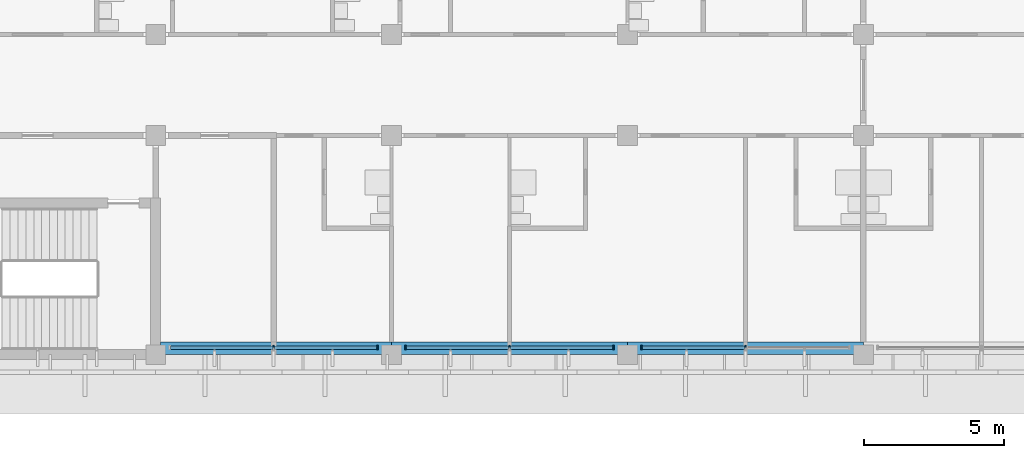
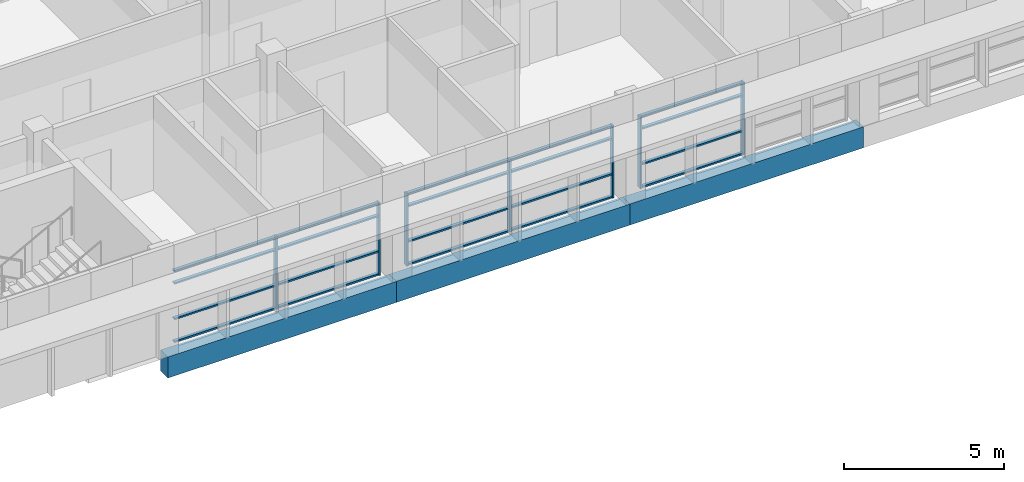
# One storey, part 6 of 71: 27 members, 3 beams, 3 elements without a shape of their own.
"""IFC4 building model written with IfcOpenShell, lengths in metres."""

from ifc_helpers import new_model, si_unit, direction, frame, origin, origin_2d, place, context, subcontext, project, spatial, rectangle, extrude, material, material_profile, profile_set, type_object, element, aggregate, save


model = new_model("IFC4")

# Units and contexts
model_context = context("Model", 3, precision=1e-05, world=origin(), true_north=direction((0.0, 1.0)))
body_context = subcontext(model_context, "Body", "Model", "MODEL_VIEW")
ifc_project = project(units=[si_unit("LENGTHUNIT", "METRE"), si_unit("AREAUNIT", "SQUARE_METRE"), si_unit("VOLUMEUNIT", "CUBIC_METRE"), si_unit("PLANEANGLEUNIT", "RADIAN"), si_unit("MASSUNIT", "GRAM", prefix="KILO")], contexts=[model_context])

# Site, building, storey
site_placement = place(None, origin())
site = spatial("IfcSite", under=ifc_project, at=site_placement, CompositionType="ELEMENT")
building_placement = place(site_placement, origin())
building = spatial("IfcBuilding", under=site, at=building_placement, Name="Bougainvillea Quay General Hospital", CompositionType="ELEMENT")
storey_placement = place(building_placement, frame((0.0, 0.0, 24.89990234375)))
storey = spatial("IfcBuildingStorey", under=building, at=storey_placement, Name="L05", CompositionType="ELEMENT", Elevation=24.89990234375)

# Curtain wall, members
ifc_material_1 = material(Name="Aluminium curtain wall system, powder-coated glazed", Category="aluminium")
curtain_wall_type = type_object("IfcCurtainWallType", Name="Unitised curtain wall CW-3730", PredefinedType="NOTDEFINED", material=ifc_material_1)
curtain_wall_1_placement = place(storey_placement, origin())
curtain_wall_1 = element("IfcCurtainWall", 1, at=curtain_wall_1_placement, inside=storey, type_object=curtain_wall_type, Name="CW-4200 03", PredefinedType="NOTDEFINED")
ifc_material_2 = material(Name="Aluminium mullion, powder-coated charcoal", Category="aluminium")
ifc_material_profile_1 = material_profile(ifc_material_2, rectangle(XDim=0.159912109375, YDim=0.06005859375, at=origin_2d()))
ifc_profile_set_1 = profile_set([ifc_material_profile_1], Name="Aluminium mullion, powder-coated charcoal")
member_type_1 = type_object("IfcMemberType", Name="Curtain wall mullion 160x60", PredefinedType="MULLION", material=ifc_profile_set_1)
member_1_placement = place(storey_placement, frame((88.199951171875, 117.85009765625, 0.0), z_axis=(0.0, 0.0, 1.0), x_axis=(0.0, 1.0, 0.0)))
member_1 = element("IfcMember", 2, at=member_1_placement, type_object=member_type_1, Name="CW-4200 mullion 2", PredefinedType="MULLION", context=body_context, shape_type="SweptSolid", body=[
    extrude(rectangle(XDim=0.159912109375, YDim=0.06005859375, at=origin_2d()), origin(), (0.0, 0.0, 1.0), 2.75),
])
member_2_placement = place(storey_placement, frame((91.89990234375, 117.85009765625, 0.0), z_axis=(0.0, 0.0, 1.0), x_axis=(0.0, 1.0, 0.0)))
member_2 = element("IfcMember", 3, at=member_2_placement, type_object=member_type_1, Name="CW-4200 mullion 3", PredefinedType="MULLION", context=body_context, shape_type="SweptSolid", body=[
    extrude(rectangle(XDim=0.159912109375, YDim=0.06005859375, at=origin_2d()), origin(), (0.0, 0.0, 1.0), 2.75),
])

curtain_wall_2_placement = place(storey_placement, origin())
curtain_wall_2 = element("IfcCurtainWall", 4, at=curtain_wall_2_placement, inside=storey, type_object=curtain_wall_type, Name="CW-4200 04", PredefinedType="NOTDEFINED")
member_3_placement = place(storey_placement, frame((92.89990234375, 117.85009765625, 0.0), z_axis=(0.0, 0.0, 1.0), x_axis=(0.0, 1.0, 0.0)))
member_3 = element("IfcMember", 5, at=member_3_placement, type_object=member_type_1, Name="CW-4200 mullion 1", PredefinedType="MULLION", context=body_context, shape_type="SweptSolid", body=[
    extrude(rectangle(XDim=0.159912109375, YDim=0.06005859375, at=origin_2d()), origin(), (0.0, 0.0, 1.0), 2.75),
])
member_4_placement = place(storey_placement, frame((96.60009765625, 117.85009765625, 0.0), z_axis=(0.0, 0.0, 1.0), x_axis=(0.0, 1.0, 0.0)))
member_4 = element("IfcMember", 6, at=member_4_placement, type_object=member_type_1, Name="CW-4200 mullion 2", PredefinedType="MULLION", context=body_context, shape_type="SweptSolid", body=[
    extrude(rectangle(XDim=0.159912109375, YDim=0.06005859375, at=origin_2d()), origin(), (0.0, 0.0, 1.0), 2.75),
])
member_5_placement = place(storey_placement, frame((100.300048828125, 117.85009765625, 0.0), z_axis=(0.0, 0.0, 1.0), x_axis=(0.0, 1.0, 0.0)))
member_5 = element("IfcMember", 7, at=member_5_placement, type_object=member_type_1, Name="CW-4200 mullion 3", PredefinedType="MULLION", context=body_context, shape_type="SweptSolid", body=[
    extrude(rectangle(XDim=0.159912109375, YDim=0.06005859375, at=origin_2d()), origin(), (0.0, 0.0, 1.0), 2.75),
])

curtain_wall_3_placement = place(storey_placement, origin())
curtain_wall_3 = element("IfcCurtainWall", 8, at=curtain_wall_3_placement, inside=storey, type_object=curtain_wall_type, Name="CW-4200 05", PredefinedType="NOTDEFINED")
member_6_placement = place(storey_placement, frame((101.300048828125, 117.85009765625, 0.0), z_axis=(0.0, 0.0, 1.0), x_axis=(0.0, 1.0, 0.0)))
member_6 = element("IfcMember", 9, at=member_6_placement, type_object=member_type_1, Name="CW-4200 mullion 1", PredefinedType="MULLION", context=body_context, shape_type="SweptSolid", body=[
    extrude(rectangle(XDim=0.159912109375, YDim=0.06005859375, at=origin_2d()), origin(), (0.0, 0.0, 1.0), 2.75),
])
member_7_placement = place(storey_placement, frame((105.0, 117.85009765625, 0.0), z_axis=(0.0, 0.0, 1.0), x_axis=(0.0, 1.0, 0.0)))
member_7 = element("IfcMember", 10, at=member_7_placement, type_object=member_type_1, Name="CW-4200 mullion 2", PredefinedType="MULLION", context=body_context, shape_type="SweptSolid", body=[
    extrude(rectangle(XDim=0.159912109375, YDim=0.06005859375, at=origin_2d()), origin(), (0.0, 0.0, 1.0), 2.75),
])

# Member
ifc_material_3 = material(Name="Aluminium transom, powder-coated charcoal", Category="aluminium")
ifc_material_profile_2 = material_profile(ifc_material_3, rectangle(XDim=0.1201171875, YDim=0.06005859375, at=origin_2d()))
ifc_profile_set_2 = profile_set([ifc_material_profile_2], Name="Aluminium transom, powder-coated charcoal")
member_type_2 = type_object("IfcMemberType", Name="Curtain wall transom 120x60", PredefinedType="USERDEFINED", material=ifc_profile_set_2)
member_8_placement = place(storey_placement, frame((84.530029296875, 117.85009765625, 0.030029296875), z_axis=(1.0, 0.0, 0.0), x_axis=(0.0, 1.0, 0.0)))
member_8 = element("IfcMember", 11, at=member_8_placement, type_object=member_type_2, Name="CW-4200 transom 1.1", ObjectType="TRANSOM", PredefinedType="USERDEFINED", context=body_context, shape_type="SweptSolid", body=[
    extrude(rectangle(XDim=0.1201171875, YDim=0.06005859375, at=origin_2d()), origin(), (0.0, 0.0, 1.0), 3.639892578125),
])

member_9_placement = place(storey_placement, frame((84.530029296875, 117.85009765625, 0.900146484375), z_axis=(1.0, 0.0, 0.0), x_axis=(0.0, 1.0, 0.0)))
member_9 = element("IfcMember", 12, at=member_9_placement, type_object=member_type_2, Name="CW-4200 transom 1.2", ObjectType="TRANSOM", PredefinedType="USERDEFINED", context=body_context, shape_type="SweptSolid", body=[
    extrude(rectangle(XDim=0.1201171875, YDim=0.06005859375, at=origin_2d()), origin(), (0.0, 0.0, 1.0), 3.639892578125),
])

member_10_placement = place(storey_placement, frame((84.530029296875, 117.85009765625, 2.25), z_axis=(1.0, 0.0, 0.0), x_axis=(0.0, 1.0, 0.0)))
member_10 = element("IfcMember", 13, at=member_10_placement, type_object=member_type_2, Name="CW-4200 transom 1.3", ObjectType="TRANSOM", PredefinedType="USERDEFINED", context=body_context, shape_type="SweptSolid", body=[
    extrude(rectangle(XDim=0.1201171875, YDim=0.06005859375, at=origin_2d()), origin(), (0.0, 0.0, 1.0), 3.639892578125),
])

member_11_placement = place(storey_placement, frame((84.530029296875, 117.85009765625, 2.72021484375), z_axis=(1.0, 0.0, 0.0), x_axis=(0.0, 1.0, 0.0)))
member_11 = element("IfcMember", 14, at=member_11_placement, type_object=member_type_2, Name="CW-4200 transom 1.4", ObjectType="TRANSOM", PredefinedType="USERDEFINED", context=body_context, shape_type="SweptSolid", body=[
    extrude(rectangle(XDim=0.1201171875, YDim=0.06005859375, at=origin_2d()), origin(), (0.0, 0.0, 1.0), 3.639892578125),
])

member_12_placement = place(storey_placement, frame((88.22998046875, 117.85009765625, 0.030029296875), z_axis=(1.0, 0.0, 0.0), x_axis=(0.0, 1.0, 0.0)))
member_12 = element("IfcMember", 15, at=member_12_placement, type_object=member_type_2, Name="CW-4200 transom 2.1", ObjectType="TRANSOM", PredefinedType="USERDEFINED", context=body_context, shape_type="SweptSolid", body=[
    extrude(rectangle(XDim=0.1201171875, YDim=0.06005859375, at=origin_2d()), origin(), (0.0, 0.0, 1.0), 3.64013671875),
])

member_13_placement = place(storey_placement, frame((88.22998046875, 117.85009765625, 0.900146484375), z_axis=(1.0, 0.0, 0.0), x_axis=(0.0, 1.0, 0.0)))
member_13 = element("IfcMember", 16, at=member_13_placement, type_object=member_type_2, Name="CW-4200 transom 2.2", ObjectType="TRANSOM", PredefinedType="USERDEFINED", context=body_context, shape_type="SweptSolid", body=[
    extrude(rectangle(XDim=0.1201171875, YDim=0.06005859375, at=origin_2d()), origin(), (0.0, 0.0, 1.0), 3.64013671875),
])

member_14_placement = place(storey_placement, frame((88.22998046875, 117.85009765625, 2.25), z_axis=(1.0, 0.0, 0.0), x_axis=(0.0, 1.0, 0.0)))
member_14 = element("IfcMember", 17, at=member_14_placement, type_object=member_type_2, Name="CW-4200 transom 2.3", ObjectType="TRANSOM", PredefinedType="USERDEFINED", context=body_context, shape_type="SweptSolid", body=[
    extrude(rectangle(XDim=0.1201171875, YDim=0.06005859375, at=origin_2d()), origin(), (0.0, 0.0, 1.0), 3.64013671875),
])

member_15_placement = place(storey_placement, frame((88.22998046875, 117.85009765625, 2.72021484375), z_axis=(1.0, 0.0, 0.0), x_axis=(0.0, 1.0, 0.0)))
member_15 = element("IfcMember", 18, at=member_15_placement, type_object=member_type_2, Name="CW-4200 transom 2.4", ObjectType="TRANSOM", PredefinedType="USERDEFINED", context=body_context, shape_type="SweptSolid", body=[
    extrude(rectangle(XDim=0.1201171875, YDim=0.06005859375, at=origin_2d()), origin(), (0.0, 0.0, 1.0), 3.64013671875),
])

aggregate(curtain_wall_1, [member_1, member_2, member_8, member_9, member_10, member_11, member_12, member_13, member_14, member_15])

member_16_placement = place(storey_placement, frame((92.929931640625, 117.85009765625, 0.030029296875), z_axis=(1.0, 0.0, 0.0), x_axis=(0.0, 1.0, 0.0)))
member_16 = element("IfcMember", 19, at=member_16_placement, type_object=member_type_2, Name="CW-4200 transom 1.1", ObjectType="TRANSOM", PredefinedType="USERDEFINED", context=body_context, shape_type="SweptSolid", body=[
    extrude(rectangle(XDim=0.1201171875, YDim=0.06005859375, at=origin_2d()), origin(), (0.0, 0.0, 1.0), 3.64013671875),
])

member_17_placement = place(storey_placement, frame((92.929931640625, 117.85009765625, 0.900146484375), z_axis=(1.0, 0.0, 0.0), x_axis=(0.0, 1.0, 0.0)))
member_17 = element("IfcMember", 20, at=member_17_placement, type_object=member_type_2, Name="CW-4200 transom 1.2", ObjectType="TRANSOM", PredefinedType="USERDEFINED", context=body_context, shape_type="SweptSolid", body=[
    extrude(rectangle(XDim=0.1201171875, YDim=0.06005859375, at=origin_2d()), origin(), (0.0, 0.0, 1.0), 3.64013671875),
])

member_18_placement = place(storey_placement, frame((92.929931640625, 117.85009765625, 2.25), z_axis=(1.0, 0.0, 0.0), x_axis=(0.0, 1.0, 0.0)))
member_18 = element("IfcMember", 21, at=member_18_placement, type_object=member_type_2, Name="CW-4200 transom 1.3", ObjectType="TRANSOM", PredefinedType="USERDEFINED", context=body_context, shape_type="SweptSolid", body=[
    extrude(rectangle(XDim=0.1201171875, YDim=0.06005859375, at=origin_2d()), origin(), (0.0, 0.0, 1.0), 3.64013671875),
])

member_19_placement = place(storey_placement, frame((92.929931640625, 117.85009765625, 2.72021484375), z_axis=(1.0, 0.0, 0.0), x_axis=(0.0, 1.0, 0.0)))
member_19 = element("IfcMember", 22, at=member_19_placement, type_object=member_type_2, Name="CW-4200 transom 1.4", ObjectType="TRANSOM", PredefinedType="USERDEFINED", context=body_context, shape_type="SweptSolid", body=[
    extrude(rectangle(XDim=0.1201171875, YDim=0.06005859375, at=origin_2d()), origin(), (0.0, 0.0, 1.0), 3.64013671875),
])

member_20_placement = place(storey_placement, frame((96.6298828125, 117.85009765625, 0.030029296875), z_axis=(1.0, 0.0, 0.0), x_axis=(0.0, 1.0, 0.0)))
member_20 = element("IfcMember", 23, at=member_20_placement, type_object=member_type_2, Name="CW-4200 transom 2.1", ObjectType="TRANSOM", PredefinedType="USERDEFINED", context=body_context, shape_type="SweptSolid", body=[
    extrude(rectangle(XDim=0.1201171875, YDim=0.06005859375, at=origin_2d()), origin(), (0.0, 0.0, 1.0), 3.64013671875),
])

member_21_placement = place(storey_placement, frame((96.6298828125, 117.85009765625, 0.900146484375), z_axis=(1.0, 0.0, 0.0), x_axis=(0.0, 1.0, 0.0)))
member_21 = element("IfcMember", 24, at=member_21_placement, type_object=member_type_2, Name="CW-4200 transom 2.2", ObjectType="TRANSOM", PredefinedType="USERDEFINED", context=body_context, shape_type="SweptSolid", body=[
    extrude(rectangle(XDim=0.1201171875, YDim=0.06005859375, at=origin_2d()), origin(), (0.0, 0.0, 1.0), 3.64013671875),
])

member_22_placement = place(storey_placement, frame((96.6298828125, 117.85009765625, 2.25), z_axis=(1.0, 0.0, 0.0), x_axis=(0.0, 1.0, 0.0)))
member_22 = element("IfcMember", 25, at=member_22_placement, type_object=member_type_2, Name="CW-4200 transom 2.3", ObjectType="TRANSOM", PredefinedType="USERDEFINED", context=body_context, shape_type="SweptSolid", body=[
    extrude(rectangle(XDim=0.1201171875, YDim=0.06005859375, at=origin_2d()), origin(), (0.0, 0.0, 1.0), 3.64013671875),
])

member_23_placement = place(storey_placement, frame((96.6298828125, 117.85009765625, 2.72021484375), z_axis=(1.0, 0.0, 0.0), x_axis=(0.0, 1.0, 0.0)))
member_23 = element("IfcMember", 26, at=member_23_placement, type_object=member_type_2, Name="CW-4200 transom 2.4", ObjectType="TRANSOM", PredefinedType="USERDEFINED", context=body_context, shape_type="SweptSolid", body=[
    extrude(rectangle(XDim=0.1201171875, YDim=0.06005859375, at=origin_2d()), origin(), (0.0, 0.0, 1.0), 3.64013671875),
])

aggregate(curtain_wall_2, [member_3, member_4, member_5, member_16, member_17, member_18, member_19, member_20, member_21, member_22, member_23])

member_24_placement = place(storey_placement, frame((101.330078125, 117.85009765625, 0.030029296875), z_axis=(1.0, 0.0, 0.0), x_axis=(0.0, 1.0, 0.0)))
member_24 = element("IfcMember", 27, at=member_24_placement, type_object=member_type_2, Name="CW-4200 transom 1.1", ObjectType="TRANSOM", PredefinedType="USERDEFINED", context=body_context, shape_type="SweptSolid", body=[
    extrude(rectangle(XDim=0.1201171875, YDim=0.06005859375, at=origin_2d()), origin(), (0.0, 0.0, 1.0), 3.639892578125),
])

member_25_placement = place(storey_placement, frame((101.330078125, 117.85009765625, 0.900146484375), z_axis=(1.0, 0.0, 0.0), x_axis=(0.0, 1.0, 0.0)))
member_25 = element("IfcMember", 28, at=member_25_placement, type_object=member_type_2, Name="CW-4200 transom 1.2", ObjectType="TRANSOM", PredefinedType="USERDEFINED", context=body_context, shape_type="SweptSolid", body=[
    extrude(rectangle(XDim=0.1201171875, YDim=0.06005859375, at=origin_2d()), origin(), (0.0, 0.0, 1.0), 3.639892578125),
])

member_26_placement = place(storey_placement, frame((101.330078125, 117.85009765625, 2.25), z_axis=(1.0, 0.0, 0.0), x_axis=(0.0, 1.0, 0.0)))
member_26 = element("IfcMember", 29, at=member_26_placement, type_object=member_type_2, Name="CW-4200 transom 1.3", ObjectType="TRANSOM", PredefinedType="USERDEFINED", context=body_context, shape_type="SweptSolid", body=[
    extrude(rectangle(XDim=0.1201171875, YDim=0.06005859375, at=origin_2d()), origin(), (0.0, 0.0, 1.0), 3.639892578125),
])

member_27_placement = place(storey_placement, frame((101.330078125, 117.85009765625, 2.72021484375), z_axis=(1.0, 0.0, 0.0), x_axis=(0.0, 1.0, 0.0)))
member_27 = element("IfcMember", 30, at=member_27_placement, type_object=member_type_2, Name="CW-4200 transom 1.4", ObjectType="TRANSOM", PredefinedType="USERDEFINED", context=body_context, shape_type="SweptSolid", body=[
    extrude(rectangle(XDim=0.1201171875, YDim=0.06005859375, at=origin_2d()), origin(), (0.0, 0.0, 1.0), 3.639892578125),
])

aggregate(curtain_wall_3, [member_6, member_7, member_24, member_25, member_26, member_27])

# Beams
ifc_material_4 = material(Name="Concrete C40", Category="concrete")
ifc_material_profile_3 = material_profile(ifc_material_4, rectangle(XDim=0.449951171875, YDim=0.800048828125, at=origin_2d()))
ifc_profile_set_3 = profile_set([ifc_material_profile_3], Name="Concrete C40")
beam_type = type_object("IfcBeamType", Name="RC BEAM 450x800 C40", PredefinedType="BEAM", material=ifc_profile_set_3)
beam_1_placement = place(storey_placement, frame((84.175048828125, 117.824951171875, -0.699951171875), z_axis=(1.0, 0.0, 0.0), x_axis=(0.0, 1.0, 0.0)))
element("IfcBeam", 31, at=beam_1_placement, inside=storey, type_object=beam_type, Name="Edge beam L05", PredefinedType="BEAM", context=body_context, shape_type="SweptSolid", body=[
    extrude(rectangle(XDim=0.449951171875, YDim=0.800048828125, at=origin_2d()), origin(), (0.0, 0.0, 1.0), 8.224853515625),
])
beam_2_placement = place(storey_placement, frame((92.39990234375, 117.824951171875, -0.699951171875), z_axis=(1.0, 0.0, 0.0), x_axis=(0.0, 1.0, 0.0)))
element("IfcBeam", 32, at=beam_2_placement, inside=storey, type_object=beam_type, Name="Edge beam L05", PredefinedType="BEAM", context=body_context, shape_type="SweptSolid", body=[
    extrude(rectangle(XDim=0.449951171875, YDim=0.800048828125, at=origin_2d()), origin(), (0.0, 0.0, 1.0), 8.400146484375),
])
beam_3_placement = place(storey_placement, frame((100.800048828125, 117.824951171875, -0.699951171875), z_axis=(1.0, 0.0, 0.0), x_axis=(0.0, 1.0, 0.0)))
element("IfcBeam", 33, at=beam_3_placement, inside=storey, type_object=beam_type, Name="Edge beam L05", PredefinedType="BEAM", context=body_context, shape_type="SweptSolid", body=[
    extrude(rectangle(XDim=0.449951171875, YDim=0.800048828125, at=origin_2d()), origin(), (0.0, 0.0, 1.0), 8.39990234375),
])

save(model, "model.ifc")
